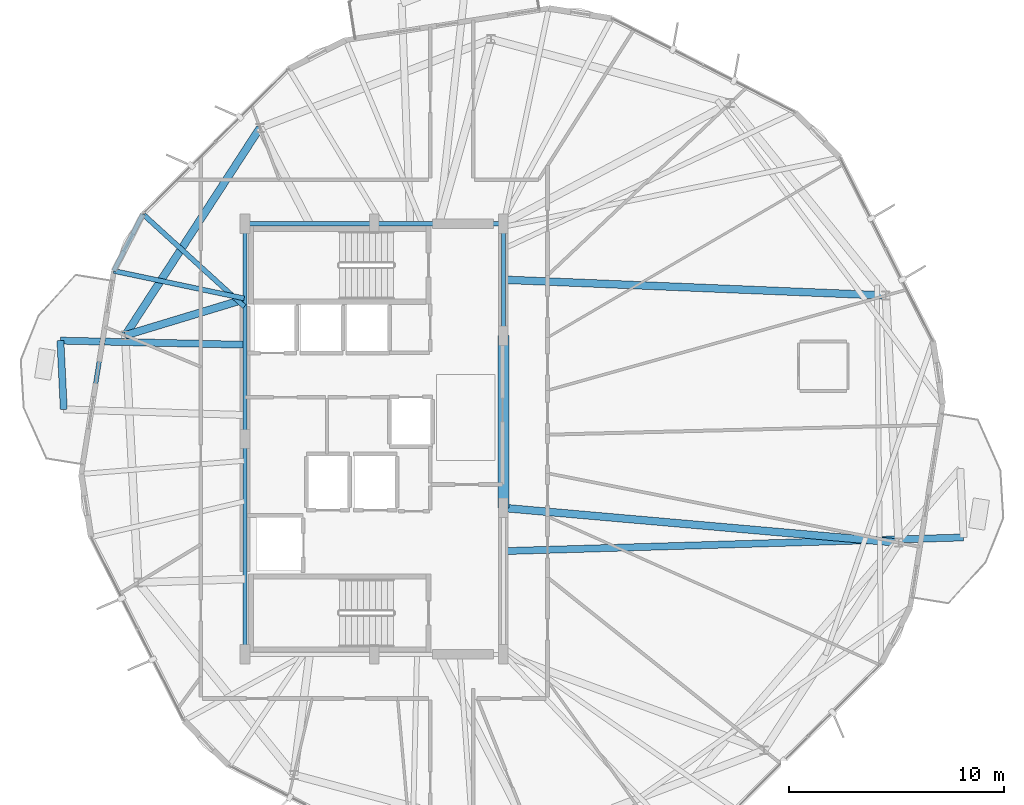
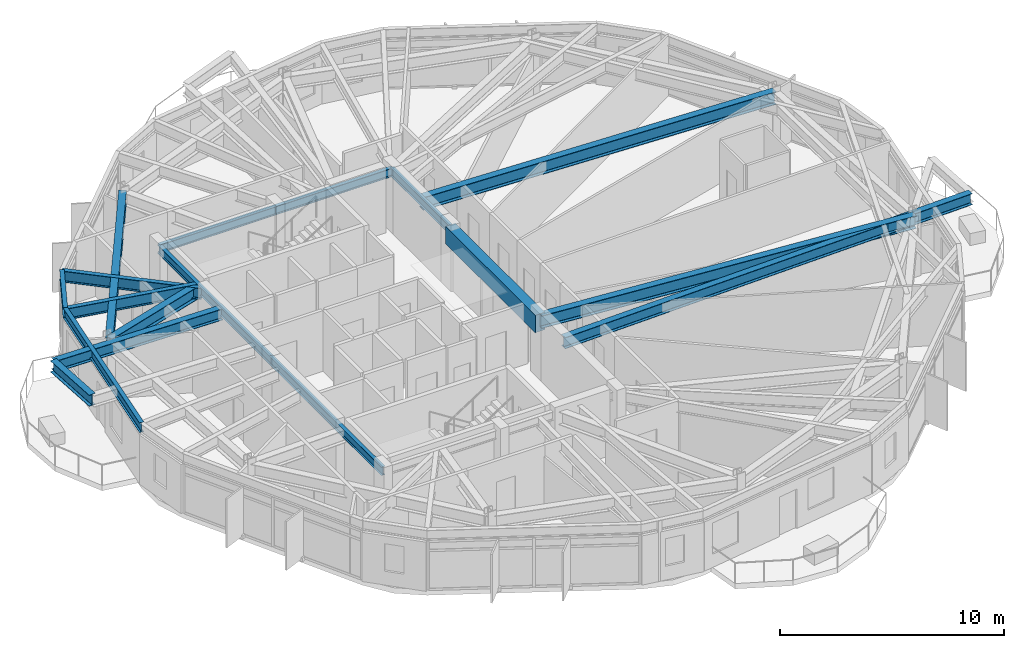
# One storey, part 7 of 27: 17 beams.
"""IFC4 building model written with IfcOpenShell, lengths in metres."""

from ifc_helpers import new_model, si_unit, direction, frame, origin, origin_2d, place, context, subcontext, project, spatial, rectangle, i_section, extrude, material, material_profile, profile_set, type_object, element, save


model = new_model("IFC4")

# Units and contexts
model_context = context("Model", 3, precision=1e-05, world=origin(), true_north=direction((0.0, 1.0)))
body_context = subcontext(model_context, "Body", "Model", "MODEL_VIEW")
ifc_project = project(units=[si_unit("LENGTHUNIT", "METRE"), si_unit("AREAUNIT", "SQUARE_METRE"), si_unit("VOLUMEUNIT", "CUBIC_METRE"), si_unit("PLANEANGLEUNIT", "RADIAN"), si_unit("MASSUNIT", "GRAM", prefix="KILO")], contexts=[model_context])

# Site, building, storey
site_placement = place(None, origin())
site = spatial("IfcSite", under=ifc_project, at=site_placement, CompositionType="ELEMENT")
building_placement = place(site_placement, origin())
building = spatial("IfcBuilding", under=site, at=building_placement, Name="Soratama Intermodal Tower", CompositionType="ELEMENT")
storey_placement = place(building_placement, frame((0.0, 0.0, 197.800048828125)))
storey = spatial("IfcBuildingStorey", under=building, at=storey_placement, Name="L49", CompositionType="ELEMENT", Elevation=197.800048828125)

# Beams
ifc_material_1 = material(Name="Structural steel ASTM A992 Grade 50", Category="steel")
ifc_material_profile_1 = material_profile(ifc_material_1, i_section(OverallWidth=0.324951171875, OverallDepth=0.615966796875, WebThickness=0.013916015625, FlangeThickness=0.021484375, FilletRadius=0.013916015625, at=origin_2d()), Name="W24X117")
ifc_profile_set_1 = profile_set([ifc_material_profile_1], Name="Structural steel ASTM A992 Grade 50")
beam_type_1 = type_object("IfcBeamType", Name="BM-CANT-W24X117", PredefinedType="BEAM", material=ifc_profile_set_1)
beam_1_placement = place(storey_placement, frame((24.02587890625, 29.571044921875, 2.991943359375), z_axis=(0.048783855411, -0.998809358913, 0.0), x_axis=(0.998809358913, 0.048783855411, 0.0)))
element("IfcBeam", 1, at=beam_1_placement, inside=storey, type_object=beam_type_1, Name="BM-L49-CBHDR-3", PredefinedType="BEAM", context=body_context, shape_type="SweptSolid", body=[
    extrude(i_section(OverallWidth=0.324951171875, OverallDepth=0.615966796875, WebThickness=0.013916015625, FlangeThickness=0.021484375, FilletRadius=0.013916015625, at=origin_2d()), origin(), (0.0, 0.0, 1.0), 3.197998046875),
])
beam_2_placement = place(storey_placement, frame((44.639892578125, 19.7939453125, 2.991943359375), z_axis=(0.999557321455, 0.029751657528, 0.0), x_axis=(-0.029751657528, 0.999557321455, 0.0)))
element("IfcBeam", 2, at=beam_2_placement, inside=storey, type_object=beam_type_1, Name="BM-L49-CANT-1-1", PredefinedType="BEAM", context=body_context, shape_type="SweptSolid", body=[
    extrude(i_section(OverallWidth=0.324951171875, OverallDepth=0.615966796875, WebThickness=0.013916015625, FlangeThickness=0.021484375, FilletRadius=0.013916015625, at=origin_2d()), origin(), (0.0, 0.0, 1.0), 21.34375),
])
beam_3_placement = place(storey_placement, frame((32.56005859375, 29.3779296875, 2.991943359375), z_axis=(-0.999744074969, 0.022622656005, 0.0), x_axis=(-0.022622656005, -0.999744074969, 0.0)))
element("IfcBeam", 3, at=beam_3_placement, inside=storey, type_object=beam_type_1, Name="BM-L49-CANT-3-1", PredefinedType="BEAM", context=body_context, shape_type="SweptSolid", body=[
    extrude(i_section(OverallWidth=0.324951171875, OverallDepth=0.615966796875, WebThickness=0.013916015625, FlangeThickness=0.021484375, FilletRadius=0.013916015625, at=origin_2d()), origin(), (0.0, 0.0, 1.0), 8.536376953125),
])
ifc_material_2 = material(Name="Concrete f'c 56 MPa", Category="concrete")
ifc_material_profile_2 = material_profile(ifc_material_2, rectangle(XDim=0.5, YDim=0.949951171875, at=origin_2d()), Name="RC500X950")
ifc_profile_set_2 = profile_set([ifc_material_profile_2], Name="Concrete f'c 56 MPa")
beam_type_2 = type_object("IfcBeamType", Name="BM-CPL-RC500X950", PredefinedType="BEAM", material=ifc_profile_set_2)
beam_4_placement = place(storey_placement, frame((44.60009765625, 21.800048828125, 2.824951171875), z_axis=(0.0, 1.0, 0.0), x_axis=(-1.0, 0.0, 0.0)))
element("IfcBeam", 4, at=beam_4_placement, inside=storey, type_object=beam_type_2, Name="L49 Core Coupling Beam East", PredefinedType="BEAM", context=body_context, shape_type="SweptSolid", body=[
    extrude(rectangle(XDim=0.5, YDim=0.949951171875, at=origin_2d()), origin(), (0.0, 0.0, 1.0), 8.0),
])
ifc_material_3 = material(Name="Structural steel ASTM A992 Grade 50", Category="steel")
ifc_material_profile_3 = material_profile(ifc_material_3, i_section(OverallWidth=0.19091796875, OverallDepth=0.4599609375, WebThickness=0.010009765625, FlangeThickness=0.01611328125, FilletRadius=0.010986328125, at=origin_2d()), Name="W18X55")
ifc_profile_set_3 = profile_set([ifc_material_profile_3], Name="Structural steel ASTM A992 Grade 50")
beam_type_3 = type_object("IfcBeamType", Name="BM-FLR-W18X55", PredefinedType="BEAM", material=ifc_profile_set_3)
beam_5_placement = place(storey_placement, frame((44.60009765625, 29.800048828125, 3.070068359375), z_axis=(0.0, 1.0, 0.0), x_axis=(-1.0, 0.0, 0.0)))
element("IfcBeam", 5, at=beam_5_placement, inside=storey, type_object=beam_type_3, Name="BM-L49-CRING-05", PredefinedType="BEAM", context=body_context, shape_type="SweptSolid", body=[
    extrude(i_section(OverallWidth=0.19091796875, OverallDepth=0.4599609375, WebThickness=0.010009765625, FlangeThickness=0.01611328125, FilletRadius=0.010986328125, at=origin_2d()), origin(), (0.0, 0.0, 1.0), 5.199951171875),
])
for number, where, z_axis, x_axis, name in (
    (6, (44.60009765625, 35.0, 3.070068359375), (-1.0, 0.0, 0.0), (0.0, -1.0, 0.0), "BM-L49-CRING-06"),
    (7, (38.60009765625, 35.0, 3.070068359375), (-1.0, 0.0, 0.0), (0.0, -1.0, 0.0), "BM-L49-CRING-07"),
):
    element("IfcBeam", number, at=place(storey_placement, frame(where, z_axis=z_axis, x_axis=x_axis)), inside=storey, type_object=beam_type_3, Name=name, PredefinedType="BEAM", context=body_context, shape_type="SweptSolid", body=[
        extrude(i_section(OverallWidth=0.19091796875, OverallDepth=0.4599609375, WebThickness=0.010009765625, FlangeThickness=0.01611328125, FilletRadius=0.010986328125, at=origin_2d()), origin(), (0.0, 0.0, 1.0), 6.0),
    ])
for number, where, z_axis, x_axis, name in (
    (8, (32.60009765625, 35.0, 3.070068359375), (0.0, -1.0, 0.0), (1.0, 0.0, 0.0), "BM-L49-CRING-08"),
    (9, (32.60009765625, 25.0, 3.070068359375), (0.0, -1.0, 0.0), (1.0, 0.0, 0.0), "BM-L49-CRING-09"),
):
    element("IfcBeam", number, at=place(storey_placement, frame(where, z_axis=z_axis, x_axis=x_axis)), inside=storey, type_object=beam_type_3, Name=name, PredefinedType="BEAM", context=body_context, shape_type="SweptSolid", body=[
        extrude(i_section(OverallWidth=0.19091796875, OverallDepth=0.4599609375, WebThickness=0.010009765625, FlangeThickness=0.01611328125, FilletRadius=0.010986328125, at=origin_2d()), origin(), (0.0, 0.0, 1.0), 10.0),
    ])
ifc_material_4 = material(Name="Structural steel ASTM A992 Grade 50", Category="steel")
ifc_material_profile_4 = material_profile(ifc_material_4, i_section(OverallWidth=0.35498046875, OverallDepth=0.695068359375, WebThickness=0.015380859375, FlangeThickness=0.02490234375, FilletRadius=0.01611328125, at=origin_2d()), Name="W27X146")
ifc_profile_set_4 = profile_set([ifc_material_profile_4], Name="Structural steel ASTM A992 Grade 50")
beam_type_4 = type_object("IfcBeamType", Name="BM-RING-W27X146", PredefinedType="BEAM", material=ifc_profile_set_4)
beam_6_placement = place(storey_placement, frame((33.294921875, 39.455078125, 2.952392578125), z_axis=(-0.544637453764, -0.83867159482, 0.0), x_axis=(0.83867159482, -0.544637453764, 0.0)))
element("IfcBeam", 10, at=beam_6_placement, inside=storey, type_object=beam_type_4, Name="BM-L49-RING-04", PredefinedType="BEAM", context=body_context, shape_type="SweptSolid", body=[
    extrude(i_section(OverallWidth=0.35498046875, OverallDepth=0.695068359375, WebThickness=0.015380859375, FlangeThickness=0.02490234375, FilletRadius=0.01611328125, at=origin_2d()), origin(), (0.0, 0.0, 1.0), 11.49560546875),
])
beam_7_placement = place(storey_placement, frame((44.60009765625, 32.39990234375, 2.952392578125), z_axis=(0.999147788389, -0.041275864109, 0.0), x_axis=(0.041275864109, 0.999147788389, 0.0)))
element("IfcBeam", 11, at=beam_7_placement, inside=storey, type_object=beam_type_4, Name="BM-L49-RAD-01", PredefinedType="BEAM", context=body_context, shape_type="SweptSolid", body=[
    extrude(i_section(OverallWidth=0.35498046875, OverallDepth=0.695068359375, WebThickness=0.015380859375, FlangeThickness=0.02490234375, FilletRadius=0.01611328125, at=origin_2d()), origin(), (0.0, 0.0, 1.0), 17.780029296875),
])
beam_8_placement = place(storey_placement, frame((32.60009765625, 31.5, 2.952392578125), z_axis=(-0.957056879321, -0.289900206526, 0.0), x_axis=(0.289900206526, -0.957056879321, 0.0)))
element("IfcBeam", 12, at=beam_8_placement, inside=storey, type_object=beam_type_4, Name="BM-L49-RAD-05", PredefinedType="BEAM", context=body_context, shape_type="SweptSolid", body=[
    extrude(i_section(OverallWidth=0.35498046875, OverallDepth=0.695068359375, WebThickness=0.015380859375, FlangeThickness=0.02490234375, FilletRadius=0.01611328125, at=origin_2d()), origin(), (0.0, 0.0, 1.0), 5.81591796875),
])
beam_9_placement = place(storey_placement, frame((44.60009765625, 21.800048828125, 2.952392578125), z_axis=(0.996160716813, -0.087543282317, 0.0), x_axis=(0.087543282317, 0.996160716813, 0.0)))
element("IfcBeam", 13, at=beam_9_placement, inside=storey, type_object=beam_type_4, Name="BM-L49-RAD-10", PredefinedType="BEAM", context=body_context, shape_type="SweptSolid", body=[
    extrude(i_section(OverallWidth=0.35498046875, OverallDepth=0.695068359375, WebThickness=0.015380859375, FlangeThickness=0.02490234375, FilletRadius=0.01611328125, at=origin_2d()), origin(), (0.0, 0.0, 1.0), 18.436767578125),
])
ifc_material_5 = material(Name="Structural steel ASTM A992 Grade 50", Category="steel")
ifc_material_profile_5 = material_profile(ifc_material_5, i_section(OverallWidth=0.2099609375, OverallDepth=0.537109375, WebThickness=0.010986328125, FlangeThickness=0.017333984375, FilletRadius=0.012939453125, at=origin_2d()), Name="W21X68")
ifc_profile_set_5 = profile_set([ifc_material_profile_5], Name="Structural steel ASTM A992 Grade 50")
beam_type_5 = type_object("IfcBeamType", Name="BM-SPN-W21X68", PredefinedType="SPANDREL", material=ifc_profile_set_5)
beam_10_placement = place(storey_placement, frame((27.85595703125, 35.447021484375, 3.031494140625), z_axis=(-0.455818618257, -0.890072686498, 0.0), x_axis=(0.890072686498, -0.455818618257, 0.0)))
element("IfcBeam", 14, at=beam_10_placement, inside=storey, type_object=beam_type_5, Name="BS-L49-CRN03", PredefinedType="SPANDREL", context=body_context, shape_type="SweptSolid", body=[
    extrude(i_section(OverallWidth=0.2099609375, OverallDepth=0.537109375, WebThickness=0.010986328125, FlangeThickness=0.017333984375, FilletRadius=0.012939453125, at=origin_2d()), origin(), (0.0, 0.0, 1.0), 2.96630859375),
])
beam_11_placement = place(storey_placement, frame((26.50390625, 32.806884765625, 3.031494140625), z_axis=(-0.158481894746, -0.987361883525, 0.0), x_axis=(0.987361883525, -0.158481894746, 0.0)))
element("IfcBeam", 15, at=beam_11_placement, inside=storey, type_object=beam_type_5, Name="BS-L49-F04", PredefinedType="SPANDREL", context=body_context, shape_type="SweptSolid", body=[
    extrude(i_section(OverallWidth=0.2099609375, OverallDepth=0.537109375, WebThickness=0.010986328125, FlangeThickness=0.017333984375, FilletRadius=0.012939453125, at=origin_2d()), origin(), (0.0, 0.0, 1.0), 9.552490234375),
])
ifc_material_6 = material(Name="Structural steel ASTM A992 Grade 50", Category="steel")
ifc_material_profile_6 = material_profile(ifc_material_6, i_section(OverallWidth=0.22900390625, OverallDepth=0.612060546875, WebThickness=0.011962890625, FlangeThickness=0.01953125, FilletRadius=0.012939453125, at=origin_2d()), Name="W24X84")
ifc_profile_set_6 = profile_set([ifc_material_profile_6], Name="Structural steel ASTM A992 Grade 50")
beam_type_6 = type_object("IfcBeamType", Name="BM-TIE-W24X84", PredefinedType="BEAM", material=ifc_profile_set_6)
beam_12_placement = place(storey_placement, frame((32.570068359375, 31.14892578125, 2.993896484375), z_axis=(-0.738960887543, 0.673748325921, 0.0), x_axis=(-0.673748325921, -0.738960887543, 0.0)))
element("IfcBeam", 16, at=beam_12_placement, inside=storey, type_object=beam_type_6, Name="BM-L49-TIE1-03", PredefinedType="BEAM", context=body_context, shape_type="SweptSolid", body=[
    extrude(i_section(OverallWidth=0.22900390625, OverallDepth=0.612060546875, WebThickness=0.011962890625, FlangeThickness=0.01953125, FilletRadius=0.012939453125, at=origin_2d()), origin(), (0.0, 0.0, 1.0), 6.37939453125),
])
beam_13_placement = place(storey_placement, frame((32.56103515625, 31.531982421875, 2.993896484375), z_axis=(-0.978558990658, 0.205966749263, 0.0), x_axis=(-0.205966749263, -0.978558990658, 0.0)))
element("IfcBeam", 17, at=beam_13_placement, inside=storey, type_object=beam_type_6, Name="BM-L49-TIE0-04", PredefinedType="BEAM", context=body_context, shape_type="SweptSolid", body=[
    extrude(i_section(OverallWidth=0.22900390625, OverallDepth=0.612060546875, WebThickness=0.011962890625, FlangeThickness=0.01953125, FilletRadius=0.012939453125, at=origin_2d()), origin(), (0.0, 0.0, 1.0), 6.18994140625),
])

save(model, "model.ifc")
